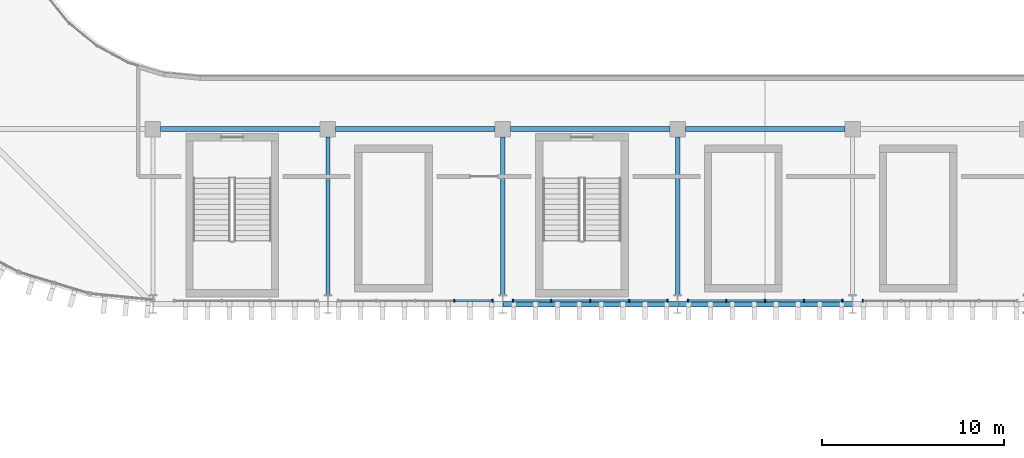
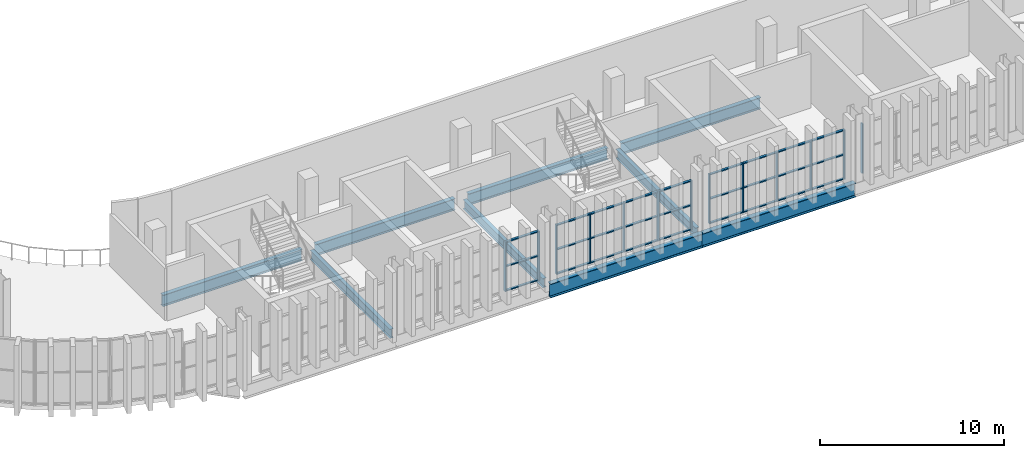
# One storey, part 12 of 92: 40 members, 9 beams, 4 elements without a shape of their own.
"""IFC4 building model written with IfcOpenShell, lengths in metres."""

from ifc_helpers import new_model, si_unit, direction, frame, origin, origin_2d, place, context, subcontext, project, spatial, rectangle, i_section, extrude, material, layer, layer_set, material_profile, profile_set, type_object, element, aggregate, save


model = new_model("IFC4")

# Units and contexts
model_context = context("Model", 3, precision=1e-05, world=origin(), true_north=direction((0.0, 1.0)))
body_context = subcontext(model_context, "Body", "Model", "MODEL_VIEW")
ifc_project = project(units=[si_unit("LENGTHUNIT", "METRE"), si_unit("AREAUNIT", "SQUARE_METRE"), si_unit("VOLUMEUNIT", "CUBIC_METRE"), si_unit("PLANEANGLEUNIT", "RADIAN"), si_unit("MASSUNIT", "GRAM", prefix="KILO")], contexts=[model_context])

# Site, building, storey
site_placement = place(None, origin())
site = spatial("IfcSite", under=ifc_project, at=site_placement, CompositionType="ELEMENT")
building_placement = place(site_placement, origin())
building = spatial("IfcBuilding", under=site, at=building_placement, Name="Caelomonte Colonnade Arena", CompositionType="ELEMENT")
storey_placement = place(building_placement, frame((0.0, 0.0, 9.60009765625)))
storey = spatial("IfcBuildingStorey", under=building, at=storey_placement, Name="L02", CompositionType="ELEMENT", Elevation=9.60009765625)

# Curtain wall, members
ifc_material_1 = material(Name="Bronze anodised aluminium and low-E glazing", Category="aluminium")
ifc_layer = layer(ifc_material_1, 0.179931640625)
ifc_layer_set = layer_set([ifc_layer], Name="Bronze anodised aluminium and low-E glazing")
curtain_wall_type = type_object("IfcCurtainWallType", Name="ENV-CW-CW-L02-96-33", PredefinedType="USERDEFINED", material=ifc_layer_set)
curtain_wall_1_placement = place(storey_placement, origin())
curtain_wall_1 = element("IfcCurtainWall", 1, at=curtain_wall_1_placement, inside=storey, type_object=curtain_wall_type, Name="L02 unitized curtain wall CW-L02-0912-0194", ObjectType="UNITIZED CURTAIN WALL", PredefinedType="USERDEFINED")
ifc_material_2 = material(Name="Bronze anodised aluminium AA6063-T6", Category="aluminium")
ifc_material_profile_1 = material_profile(ifc_material_2, rectangle(XDim=0.070068359375, YDim=0.179931640625, at=origin_2d()), Name="CWM-70X180")
ifc_profile_set_1 = profile_set([ifc_material_profile_1], Name="Bronze anodised aluminium AA6063-T6")
member_type_1 = type_object("IfcMemberType", Name="ENV-CW-MULL1", PredefinedType="MULLION", material=ifc_profile_set_1)
member_1_placement = place(storey_placement, frame((93.337158203125, 19.3798828125, 0.0), z_axis=(0.0, 0.0, 1.0), x_axis=(1.0, 0.0, 0.0)))
member_1 = element("IfcMember", 2, at=member_1_placement, type_object=member_type_1, Name="CW-L02-96-33 mullion 4", PredefinedType="MULLION", context=body_context, shape_type="SweptSolid", body=[
    extrude(rectangle(XDim=0.070068359375, YDim=0.179931640625, at=origin_2d()), origin(), (0.0, 0.0, 1.0), 3.29296875),
])
member_2_placement = place(storey_placement, frame((95.439453125, 19.3798828125, 0.0), z_axis=(0.0, 0.0, 1.0), x_axis=(1.0, 0.0, 0.0)))
member_2 = element("IfcMember", 3, at=member_2_placement, type_object=member_type_1, Name="CW-L02-96-33 mullion 5", PredefinedType="MULLION", context=body_context, shape_type="SweptSolid", body=[
    extrude(rectangle(XDim=0.070068359375, YDim=0.179931640625, at=origin_2d()), origin(), (0.0, 0.0, 1.0), 3.29296875),
])

curtain_wall_2_placement = place(storey_placement, origin())
curtain_wall_2 = element("IfcCurtainWall", 4, at=curtain_wall_2_placement, inside=storey, type_object=curtain_wall_type, Name="L02 unitized curtain wall CW-L02-1008-0194", ObjectType="UNITIZED CURTAIN WALL", PredefinedType="USERDEFINED")
member_3_placement = place(storey_placement, frame((96.560546875, 19.3798828125, 0.0), z_axis=(0.0, 0.0, 1.0), x_axis=(1.0, 0.0, 0.0)))
member_3 = element("IfcMember", 5, at=member_3_placement, type_object=member_type_1, Name="CW-L02-96-33 mullion 1", PredefinedType="MULLION", context=body_context, shape_type="SweptSolid", body=[
    extrude(rectangle(XDim=0.070068359375, YDim=0.179931640625, at=origin_2d()), origin(), (0.0, 0.0, 1.0), 3.29296875),
])
member_4_placement = place(storey_placement, frame((98.662841796875, 19.3798828125, 0.0), z_axis=(0.0, 0.0, 1.0), x_axis=(1.0, 0.0, 0.0)))
member_4 = element("IfcMember", 6, at=member_4_placement, type_object=member_type_1, Name="CW-L02-96-33 mullion 2", PredefinedType="MULLION", context=body_context, shape_type="SweptSolid", body=[
    extrude(rectangle(XDim=0.070068359375, YDim=0.179931640625, at=origin_2d()), origin(), (0.0, 0.0, 1.0), 3.29296875),
])
member_5_placement = place(storey_placement, frame((100.800048828125, 19.3798828125, 0.0), z_axis=(0.0, 0.0, 1.0), x_axis=(1.0, 0.0, 0.0)))
member_5 = element("IfcMember", 7, at=member_5_placement, type_object=member_type_1, Name="CW-L02-96-33 mullion 3", PredefinedType="MULLION", context=body_context, shape_type="SweptSolid", body=[
    extrude(rectangle(XDim=0.070068359375, YDim=0.179931640625, at=origin_2d()), origin(), (0.0, 0.0, 1.0), 3.29296875),
])
member_6_placement = place(storey_placement, frame((102.937255859375, 19.3798828125, 0.0), z_axis=(0.0, 0.0, 1.0), x_axis=(1.0, 0.0, 0.0)))
member_6 = element("IfcMember", 8, at=member_6_placement, type_object=member_type_1, Name="CW-L02-96-33 mullion 4", PredefinedType="MULLION", context=body_context, shape_type="SweptSolid", body=[
    extrude(rectangle(XDim=0.070068359375, YDim=0.179931640625, at=origin_2d()), origin(), (0.0, 0.0, 1.0), 3.29296875),
])
member_7_placement = place(storey_placement, frame((105.03955078125, 19.3798828125, 0.0), z_axis=(0.0, 0.0, 1.0), x_axis=(1.0, 0.0, 0.0)))
member_7 = element("IfcMember", 9, at=member_7_placement, type_object=member_type_1, Name="CW-L02-96-33 mullion 5", PredefinedType="MULLION", context=body_context, shape_type="SweptSolid", body=[
    extrude(rectangle(XDim=0.070068359375, YDim=0.179931640625, at=origin_2d()), origin(), (0.0, 0.0, 1.0), 3.29296875),
])

curtain_wall_3_placement = place(storey_placement, origin())
curtain_wall_3 = element("IfcCurtainWall", 10, at=curtain_wall_3_placement, inside=storey, type_object=curtain_wall_type, Name="L02 unitized curtain wall CW-L02-1104-0194", ObjectType="UNITIZED CURTAIN WALL", PredefinedType="USERDEFINED")
member_8_placement = place(storey_placement, frame((106.160400390625, 19.3798828125, 0.0), z_axis=(0.0, 0.0, 1.0), x_axis=(1.0, 0.0, 0.0)))
member_8 = element("IfcMember", 11, at=member_8_placement, type_object=member_type_1, Name="CW-L02-96-33 mullion 1", PredefinedType="MULLION", context=body_context, shape_type="SweptSolid", body=[
    extrude(rectangle(XDim=0.070068359375, YDim=0.179931640625, at=origin_2d()), origin(), (0.0, 0.0, 1.0), 3.29296875),
])
member_9_placement = place(storey_placement, frame((108.2626953125, 19.3798828125, 0.0), z_axis=(0.0, 0.0, 1.0), x_axis=(1.0, 0.0, 0.0)))
member_9 = element("IfcMember", 12, at=member_9_placement, type_object=member_type_1, Name="CW-L02-96-33 mullion 2", PredefinedType="MULLION", context=body_context, shape_type="SweptSolid", body=[
    extrude(rectangle(XDim=0.070068359375, YDim=0.179931640625, at=origin_2d()), origin(), (0.0, 0.0, 1.0), 3.29296875),
])
member_10_placement = place(storey_placement, frame((110.39990234375, 19.3798828125, 0.0), z_axis=(0.0, 0.0, 1.0), x_axis=(1.0, 0.0, 0.0)))
member_10 = element("IfcMember", 13, at=member_10_placement, type_object=member_type_1, Name="CW-L02-96-33 mullion 3", PredefinedType="MULLION", context=body_context, shape_type="SweptSolid", body=[
    extrude(rectangle(XDim=0.070068359375, YDim=0.179931640625, at=origin_2d()), origin(), (0.0, 0.0, 1.0), 3.29296875),
])
member_11_placement = place(storey_placement, frame((112.537353515625, 19.3798828125, 0.0), z_axis=(0.0, 0.0, 1.0), x_axis=(1.0, 0.0, 0.0)))
member_11 = element("IfcMember", 14, at=member_11_placement, type_object=member_type_1, Name="CW-L02-96-33 mullion 4", PredefinedType="MULLION", context=body_context, shape_type="SweptSolid", body=[
    extrude(rectangle(XDim=0.070068359375, YDim=0.179931640625, at=origin_2d()), origin(), (0.0, 0.0, 1.0), 3.29296875),
])
member_12_placement = place(storey_placement, frame((114.639404296875, 19.3798828125, 0.0), z_axis=(0.0, 0.0, 1.0), x_axis=(1.0, 0.0, 0.0)))
member_12 = element("IfcMember", 15, at=member_12_placement, type_object=member_type_1, Name="CW-L02-96-33 mullion 5", PredefinedType="MULLION", context=body_context, shape_type="SweptSolid", body=[
    extrude(rectangle(XDim=0.070068359375, YDim=0.179931640625, at=origin_2d()), origin(), (0.0, 0.0, 1.0), 3.29296875),
])

# Curtain wall, member
curtain_wall_4_placement = place(storey_placement, origin())
curtain_wall_4 = element("IfcCurtainWall", 16, at=curtain_wall_4_placement, inside=storey, type_object=curtain_wall_type, Name="L02 unitized curtain wall CW-L02-1200-0194", ObjectType="UNITIZED CURTAIN WALL", PredefinedType="USERDEFINED")
member_13_placement = place(storey_placement, frame((115.760498046875, 19.3798828125, 0.0), z_axis=(0.0, 0.0, 1.0), x_axis=(1.0, 0.0, 0.0)))
member_13 = element("IfcMember", 17, at=member_13_placement, type_object=member_type_1, Name="CW-L02-96-33 mullion 1", PredefinedType="MULLION", context=body_context, shape_type="SweptSolid", body=[
    extrude(rectangle(XDim=0.070068359375, YDim=0.179931640625, at=origin_2d()), origin(), (0.0, 0.0, 1.0), 3.29296875),
])
aggregate(curtain_wall_4, [member_13])

# Member
ifc_material_profile_2 = material_profile(ifc_material_2, rectangle(XDim=0.070068359375, YDim=0.139892578125, at=origin_2d()), Name="CWT-70X140")
ifc_profile_set_2 = profile_set([ifc_material_profile_2], Name="Bronze anodised aluminium AA6063-T6")
member_type_2 = type_object("IfcMemberType", Name="ENV-CW-TRAN1", PredefinedType="USERDEFINED", material=ifc_profile_set_2)
member_14_placement = place(storey_placement, frame((93.372314453125, 19.3798828125, 0.034912109375), z_axis=(1.0, 0.0, 0.0), x_axis=(0.0, 0.0, 1.0)))
member_14 = element("IfcMember", 18, at=member_14_placement, type_object=member_type_2, Name="CW-L02-96-33 transom 4.1", ObjectType="TRANSOM", PredefinedType="USERDEFINED", context=body_context, shape_type="SweptSolid", body=[
    extrude(rectangle(XDim=0.070068359375, YDim=0.139892578125, at=origin_2d()), origin(), (0.0, 0.0, 1.0), 2.0322265625),
])

member_15_placement = place(storey_placement, frame((93.372314453125, 19.3798828125, 1.646484375), z_axis=(1.0, 0.0, 0.0), x_axis=(0.0, 0.0, 1.0)))
member_15 = element("IfcMember", 19, at=member_15_placement, type_object=member_type_2, Name="CW-L02-96-33 transom 4.2", ObjectType="TRANSOM", PredefinedType="USERDEFINED", context=body_context, shape_type="SweptSolid", body=[
    extrude(rectangle(XDim=0.070068359375, YDim=0.139892578125, at=origin_2d()), origin(), (0.0, 0.0, 1.0), 2.0322265625),
])

member_16_placement = place(storey_placement, frame((93.372314453125, 19.3798828125, 3.2578125), z_axis=(1.0, 0.0, 0.0), x_axis=(0.0, 0.0, 1.0)))
member_16 = element("IfcMember", 20, at=member_16_placement, type_object=member_type_2, Name="CW-L02-96-33 transom 4.3", ObjectType="TRANSOM", PredefinedType="USERDEFINED", context=body_context, shape_type="SweptSolid", body=[
    extrude(rectangle(XDim=0.070068359375, YDim=0.139892578125, at=origin_2d()), origin(), (0.0, 0.0, 1.0), 2.0322265625),
])

aggregate(curtain_wall_1, [member_1, member_2, member_14, member_15, member_16])

member_17_placement = place(storey_placement, frame((96.595458984375, 19.3798828125, 0.034912109375), z_axis=(1.0, 0.0, 0.0), x_axis=(0.0, 0.0, 1.0)))
member_17 = element("IfcMember", 21, at=member_17_placement, type_object=member_type_2, Name="CW-L02-96-33 transom 1.1", ObjectType="TRANSOM", PredefinedType="USERDEFINED", context=body_context, shape_type="SweptSolid", body=[
    extrude(rectangle(XDim=0.070068359375, YDim=0.139892578125, at=origin_2d()), origin(), (0.0, 0.0, 1.0), 2.0322265625),
])

member_18_placement = place(storey_placement, frame((96.595458984375, 19.3798828125, 1.646484375), z_axis=(1.0, 0.0, 0.0), x_axis=(0.0, 0.0, 1.0)))
member_18 = element("IfcMember", 22, at=member_18_placement, type_object=member_type_2, Name="CW-L02-96-33 transom 1.2", ObjectType="TRANSOM", PredefinedType="USERDEFINED", context=body_context, shape_type="SweptSolid", body=[
    extrude(rectangle(XDim=0.070068359375, YDim=0.139892578125, at=origin_2d()), origin(), (0.0, 0.0, 1.0), 2.0322265625),
])

member_19_placement = place(storey_placement, frame((96.595458984375, 19.3798828125, 3.2578125), z_axis=(1.0, 0.0, 0.0), x_axis=(0.0, 0.0, 1.0)))
member_19 = element("IfcMember", 23, at=member_19_placement, type_object=member_type_2, Name="CW-L02-96-33 transom 1.3", ObjectType="TRANSOM", PredefinedType="USERDEFINED", context=body_context, shape_type="SweptSolid", body=[
    extrude(rectangle(XDim=0.070068359375, YDim=0.139892578125, at=origin_2d()), origin(), (0.0, 0.0, 1.0), 2.0322265625),
])

member_20_placement = place(storey_placement, frame((98.69775390625, 19.3798828125, 0.034912109375), z_axis=(1.0, 0.0, 0.0), x_axis=(0.0, 0.0, 1.0)))
member_20 = element("IfcMember", 24, at=member_20_placement, type_object=member_type_2, Name="CW-L02-96-33 transom 2.1", ObjectType="TRANSOM", PredefinedType="USERDEFINED", context=body_context, shape_type="SweptSolid", body=[
    extrude(rectangle(XDim=0.070068359375, YDim=0.139892578125, at=origin_2d()), origin(), (0.0, 0.0, 1.0), 2.067138671875),
])

member_21_placement = place(storey_placement, frame((98.69775390625, 19.3798828125, 1.646484375), z_axis=(1.0, 0.0, 0.0), x_axis=(0.0, 0.0, 1.0)))
member_21 = element("IfcMember", 25, at=member_21_placement, type_object=member_type_2, Name="CW-L02-96-33 transom 2.2", ObjectType="TRANSOM", PredefinedType="USERDEFINED", context=body_context, shape_type="SweptSolid", body=[
    extrude(rectangle(XDim=0.070068359375, YDim=0.139892578125, at=origin_2d()), origin(), (0.0, 0.0, 1.0), 2.067138671875),
])

member_22_placement = place(storey_placement, frame((98.69775390625, 19.3798828125, 3.2578125), z_axis=(1.0, 0.0, 0.0), x_axis=(0.0, 0.0, 1.0)))
member_22 = element("IfcMember", 26, at=member_22_placement, type_object=member_type_2, Name="CW-L02-96-33 transom 2.3", ObjectType="TRANSOM", PredefinedType="USERDEFINED", context=body_context, shape_type="SweptSolid", body=[
    extrude(rectangle(XDim=0.070068359375, YDim=0.139892578125, at=origin_2d()), origin(), (0.0, 0.0, 1.0), 2.067138671875),
])

member_23_placement = place(storey_placement, frame((100.8349609375, 19.3798828125, 0.034912109375), z_axis=(1.0, 0.0, 0.0), x_axis=(0.0, 0.0, 1.0)))
member_23 = element("IfcMember", 27, at=member_23_placement, type_object=member_type_2, Name="CW-L02-96-33 transom 3.1", ObjectType="TRANSOM", PredefinedType="USERDEFINED", context=body_context, shape_type="SweptSolid", body=[
    extrude(rectangle(XDim=0.070068359375, YDim=0.139892578125, at=origin_2d()), origin(), (0.0, 0.0, 1.0), 2.0673828125),
])

member_24_placement = place(storey_placement, frame((100.8349609375, 19.3798828125, 1.646484375), z_axis=(1.0, 0.0, 0.0), x_axis=(0.0, 0.0, 1.0)))
member_24 = element("IfcMember", 28, at=member_24_placement, type_object=member_type_2, Name="CW-L02-96-33 transom 3.2", ObjectType="TRANSOM", PredefinedType="USERDEFINED", context=body_context, shape_type="SweptSolid", body=[
    extrude(rectangle(XDim=0.070068359375, YDim=0.139892578125, at=origin_2d()), origin(), (0.0, 0.0, 1.0), 2.0673828125),
])

member_25_placement = place(storey_placement, frame((100.8349609375, 19.3798828125, 3.2578125), z_axis=(1.0, 0.0, 0.0), x_axis=(0.0, 0.0, 1.0)))
member_25 = element("IfcMember", 29, at=member_25_placement, type_object=member_type_2, Name="CW-L02-96-33 transom 3.3", ObjectType="TRANSOM", PredefinedType="USERDEFINED", context=body_context, shape_type="SweptSolid", body=[
    extrude(rectangle(XDim=0.070068359375, YDim=0.139892578125, at=origin_2d()), origin(), (0.0, 0.0, 1.0), 2.0673828125),
])

member_26_placement = place(storey_placement, frame((102.97216796875, 19.3798828125, 0.034912109375), z_axis=(1.0, 0.0, 0.0), x_axis=(0.0, 0.0, 1.0)))
member_26 = element("IfcMember", 30, at=member_26_placement, type_object=member_type_2, Name="CW-L02-96-33 transom 4.1", ObjectType="TRANSOM", PredefinedType="USERDEFINED", context=body_context, shape_type="SweptSolid", body=[
    extrude(rectangle(XDim=0.070068359375, YDim=0.139892578125, at=origin_2d()), origin(), (0.0, 0.0, 1.0), 2.0322265625),
])

member_27_placement = place(storey_placement, frame((102.97216796875, 19.3798828125, 1.646484375), z_axis=(1.0, 0.0, 0.0), x_axis=(0.0, 0.0, 1.0)))
member_27 = element("IfcMember", 31, at=member_27_placement, type_object=member_type_2, Name="CW-L02-96-33 transom 4.2", ObjectType="TRANSOM", PredefinedType="USERDEFINED", context=body_context, shape_type="SweptSolid", body=[
    extrude(rectangle(XDim=0.070068359375, YDim=0.139892578125, at=origin_2d()), origin(), (0.0, 0.0, 1.0), 2.0322265625),
])

member_28_placement = place(storey_placement, frame((102.97216796875, 19.3798828125, 3.2578125), z_axis=(1.0, 0.0, 0.0), x_axis=(0.0, 0.0, 1.0)))
member_28 = element("IfcMember", 32, at=member_28_placement, type_object=member_type_2, Name="CW-L02-96-33 transom 4.3", ObjectType="TRANSOM", PredefinedType="USERDEFINED", context=body_context, shape_type="SweptSolid", body=[
    extrude(rectangle(XDim=0.070068359375, YDim=0.139892578125, at=origin_2d()), origin(), (0.0, 0.0, 1.0), 2.0322265625),
])

aggregate(curtain_wall_2, [member_3, member_4, member_5, member_6, member_7, member_17, member_18, member_19, member_20, member_21, member_22, member_23, member_24, member_25, member_26, member_27, member_28])

member_29_placement = place(storey_placement, frame((106.195556640625, 19.3798828125, 0.034912109375), z_axis=(1.0, 0.0, 0.0), x_axis=(0.0, 0.0, 1.0)))
member_29 = element("IfcMember", 33, at=member_29_placement, type_object=member_type_2, Name="CW-L02-96-33 transom 1.1", ObjectType="TRANSOM", PredefinedType="USERDEFINED", context=body_context, shape_type="SweptSolid", body=[
    extrude(rectangle(XDim=0.070068359375, YDim=0.139892578125, at=origin_2d()), origin(), (0.0, 0.0, 1.0), 2.0322265625),
])

member_30_placement = place(storey_placement, frame((106.195556640625, 19.3798828125, 1.646484375), z_axis=(1.0, 0.0, 0.0), x_axis=(0.0, 0.0, 1.0)))
member_30 = element("IfcMember", 34, at=member_30_placement, type_object=member_type_2, Name="CW-L02-96-33 transom 1.2", ObjectType="TRANSOM", PredefinedType="USERDEFINED", context=body_context, shape_type="SweptSolid", body=[
    extrude(rectangle(XDim=0.070068359375, YDim=0.139892578125, at=origin_2d()), origin(), (0.0, 0.0, 1.0), 2.0322265625),
])

member_31_placement = place(storey_placement, frame((106.195556640625, 19.3798828125, 3.2578125), z_axis=(1.0, 0.0, 0.0), x_axis=(0.0, 0.0, 1.0)))
member_31 = element("IfcMember", 35, at=member_31_placement, type_object=member_type_2, Name="CW-L02-96-33 transom 1.3", ObjectType="TRANSOM", PredefinedType="USERDEFINED", context=body_context, shape_type="SweptSolid", body=[
    extrude(rectangle(XDim=0.070068359375, YDim=0.139892578125, at=origin_2d()), origin(), (0.0, 0.0, 1.0), 2.0322265625),
])

member_32_placement = place(storey_placement, frame((108.2978515625, 19.3798828125, 0.034912109375), z_axis=(1.0, 0.0, 0.0), x_axis=(0.0, 0.0, 1.0)))
member_32 = element("IfcMember", 36, at=member_32_placement, type_object=member_type_2, Name="CW-L02-96-33 transom 2.1", ObjectType="TRANSOM", PredefinedType="USERDEFINED", context=body_context, shape_type="SweptSolid", body=[
    extrude(rectangle(XDim=0.070068359375, YDim=0.139892578125, at=origin_2d()), origin(), (0.0, 0.0, 1.0), 2.067138671875),
])

member_33_placement = place(storey_placement, frame((108.2978515625, 19.3798828125, 1.646484375), z_axis=(1.0, 0.0, 0.0), x_axis=(0.0, 0.0, 1.0)))
member_33 = element("IfcMember", 37, at=member_33_placement, type_object=member_type_2, Name="CW-L02-96-33 transom 2.2", ObjectType="TRANSOM", PredefinedType="USERDEFINED", context=body_context, shape_type="SweptSolid", body=[
    extrude(rectangle(XDim=0.070068359375, YDim=0.139892578125, at=origin_2d()), origin(), (0.0, 0.0, 1.0), 2.067138671875),
])

member_34_placement = place(storey_placement, frame((108.2978515625, 19.3798828125, 3.2578125), z_axis=(1.0, 0.0, 0.0), x_axis=(0.0, 0.0, 1.0)))
member_34 = element("IfcMember", 38, at=member_34_placement, type_object=member_type_2, Name="CW-L02-96-33 transom 2.3", ObjectType="TRANSOM", PredefinedType="USERDEFINED", context=body_context, shape_type="SweptSolid", body=[
    extrude(rectangle(XDim=0.070068359375, YDim=0.139892578125, at=origin_2d()), origin(), (0.0, 0.0, 1.0), 2.067138671875),
])

member_35_placement = place(storey_placement, frame((110.43505859375, 19.3798828125, 0.034912109375), z_axis=(1.0, 0.0, 0.0), x_axis=(0.0, 0.0, 1.0)))
member_35 = element("IfcMember", 39, at=member_35_placement, type_object=member_type_2, Name="CW-L02-96-33 transom 3.1", ObjectType="TRANSOM", PredefinedType="USERDEFINED", context=body_context, shape_type="SweptSolid", body=[
    extrude(rectangle(XDim=0.070068359375, YDim=0.139892578125, at=origin_2d()), origin(), (0.0, 0.0, 1.0), 2.067138671875),
])

member_36_placement = place(storey_placement, frame((110.43505859375, 19.3798828125, 1.646484375), z_axis=(1.0, 0.0, 0.0), x_axis=(0.0, 0.0, 1.0)))
member_36 = element("IfcMember", 40, at=member_36_placement, type_object=member_type_2, Name="CW-L02-96-33 transom 3.2", ObjectType="TRANSOM", PredefinedType="USERDEFINED", context=body_context, shape_type="SweptSolid", body=[
    extrude(rectangle(XDim=0.070068359375, YDim=0.139892578125, at=origin_2d()), origin(), (0.0, 0.0, 1.0), 2.067138671875),
])

member_37_placement = place(storey_placement, frame((110.43505859375, 19.3798828125, 3.2578125), z_axis=(1.0, 0.0, 0.0), x_axis=(0.0, 0.0, 1.0)))
member_37 = element("IfcMember", 41, at=member_37_placement, type_object=member_type_2, Name="CW-L02-96-33 transom 3.3", ObjectType="TRANSOM", PredefinedType="USERDEFINED", context=body_context, shape_type="SweptSolid", body=[
    extrude(rectangle(XDim=0.070068359375, YDim=0.139892578125, at=origin_2d()), origin(), (0.0, 0.0, 1.0), 2.067138671875),
])

member_38_placement = place(storey_placement, frame((112.572265625, 19.3798828125, 0.034912109375), z_axis=(1.0, 0.0, 0.0), x_axis=(0.0, 0.0, 1.0)))
member_38 = element("IfcMember", 42, at=member_38_placement, type_object=member_type_2, Name="CW-L02-96-33 transom 4.1", ObjectType="TRANSOM", PredefinedType="USERDEFINED", context=body_context, shape_type="SweptSolid", body=[
    extrude(rectangle(XDim=0.070068359375, YDim=0.139892578125, at=origin_2d()), origin(), (0.0, 0.0, 1.0), 2.0322265625),
])

member_39_placement = place(storey_placement, frame((112.572265625, 19.3798828125, 1.646484375), z_axis=(1.0, 0.0, 0.0), x_axis=(0.0, 0.0, 1.0)))
member_39 = element("IfcMember", 43, at=member_39_placement, type_object=member_type_2, Name="CW-L02-96-33 transom 4.2", ObjectType="TRANSOM", PredefinedType="USERDEFINED", context=body_context, shape_type="SweptSolid", body=[
    extrude(rectangle(XDim=0.070068359375, YDim=0.139892578125, at=origin_2d()), origin(), (0.0, 0.0, 1.0), 2.0322265625),
])

member_40_placement = place(storey_placement, frame((112.572265625, 19.3798828125, 3.2578125), z_axis=(1.0, 0.0, 0.0), x_axis=(0.0, 0.0, 1.0)))
member_40 = element("IfcMember", 44, at=member_40_placement, type_object=member_type_2, Name="CW-L02-96-33 transom 4.3", ObjectType="TRANSOM", PredefinedType="USERDEFINED", context=body_context, shape_type="SweptSolid", body=[
    extrude(rectangle(XDim=0.070068359375, YDim=0.139892578125, at=origin_2d()), origin(), (0.0, 0.0, 1.0), 2.0322265625),
])

aggregate(curtain_wall_3, [member_8, member_9, member_10, member_11, member_12, member_29, member_30, member_31, member_32, member_33, member_34, member_35, member_36, member_37, member_38, member_39, member_40])

# Beams
ifc_material_3 = material(Name="Wide-flange steel ASTM A992 Grade 50", Category="steel")
ifc_material_profile_3 = material_profile(ifc_material_3, i_section(OverallWidth=0.307861328125, OverallDepth=0.927001953125, WebThickness=0.019287109375, FlangeThickness=0.031982421875, FilletRadius=0.020263671875, at=origin_2d()), Name="W36X194")
ifc_profile_set_3 = profile_set([ifc_material_profile_3], Name="Wide-flange steel ASTM A992 Grade 50")
beam_type_1 = type_object("IfcBeamType", Name="STR-BM-EAVES2", PredefinedType="SPANDREL", material=ifc_profile_set_3)
for number, where, z_axis, x_axis, name in (
    (45, (96.01171875, 19.199951171875, -0.74365234375), (1.0, 0.0, 0.0), (0.0, 1.0, 0.0), "L02 girder BMX-L02-0960-0192"),
    (46, (105.61181640625, 19.199951171875, -0.74365234375), (1.0, 0.0, 0.0), (0.0, 1.0, 0.0), "L02 girder BMX-L02-1056-0192"),
):
    element("IfcBeam", number, at=place(storey_placement, frame(where, z_axis=z_axis, x_axis=x_axis)), inside=storey, type_object=beam_type_1, Name=name, PredefinedType="SPANDREL", context=body_context, shape_type="SweptSolid", body=[
        extrude(i_section(OverallWidth=0.307861328125, OverallDepth=0.927001953125, WebThickness=0.019287109375, FlangeThickness=0.031982421875, FilletRadius=0.020263671875, at=origin_2d()), origin(), (0.0, 0.0, 1.0), 9.576416015625),
    ])
ifc_material_profile_4 = material_profile(ifc_material_3, i_section(OverallWidth=0.228271484375, OverallDepth=0.607177734375, WebThickness=0.01123046875, FlangeThickness=0.017333984375, FilletRadius=0.0126953125, at=origin_2d()), Name="W24X76")
ifc_profile_set_4 = profile_set([ifc_material_profile_4], Name="Wide-flange steel ASTM A992 Grade 50")
beam_type_2 = type_object("IfcBeamType", Name="STR-BM-GIRD24", PredefinedType="BEAM", material=ifc_profile_set_4)
for number, where, z_axis, x_axis, name in (
    (47, (86.39990234375, 19.697509765625, -0.58349609375), (0.0, 1.0, 0.0), (-1.0, 0.0, 0.0), "L02 girder BMY-L02-0864-0192"),
    (48, (96.0, 19.697509765625, -0.58349609375), (0.0, 1.0, 0.0), (-1.0, 0.0, 0.0), "L02 girder BMY-L02-0960-0192"),
    (49, (105.60009765625, 19.697509765625, -0.58349609375), (0.0, 1.0, 0.0), (-1.0, 0.0, 0.0), "L02 girder BMY-L02-1056-0192"),
):
    element("IfcBeam", number, at=place(storey_placement, frame(where, z_axis=z_axis, x_axis=x_axis)), inside=storey, type_object=beam_type_2, Name=name, PredefinedType="BEAM", context=body_context, shape_type="SweptSolid", body=[
        extrude(i_section(OverallWidth=0.228271484375, OverallDepth=0.607177734375, WebThickness=0.01123046875, FlangeThickness=0.017333984375, FilletRadius=0.0126953125, at=origin_2d()), origin(), (0.0, 0.0, 1.0), 8.685546875),
    ])
ifc_material_profile_5 = material_profile(ifc_material_3, i_section(OverallWidth=0.2666015625, OverallDepth=0.761962890625, WebThickness=0.014404296875, FlangeThickness=0.021484375, FilletRadius=0.0166015625, at=origin_2d()), Name="W30X116")
ifc_profile_set_5 = profile_set([ifc_material_profile_5], Name="Wide-flange steel ASTM A992 Grade 50")
beam_type_3 = type_object("IfcBeamType", Name="STR-BM-GIRD30", PredefinedType="BEAM", material=ifc_profile_set_5)
beam_1_placement = place(storey_placement, frame((77.217041015625, 28.800048828125, -0.6611328125), z_axis=(1.0, 0.0, 0.0), x_axis=(0.0, 1.0, 0.0)))
element("IfcBeam", 50, at=beam_1_placement, inside=storey, type_object=beam_type_3, Name="L02 girder BMX-L02-0768-0288", PredefinedType="BEAM", context=body_context, shape_type="SweptSolid", body=[
    extrude(i_section(OverallWidth=0.2666015625, OverallDepth=0.761962890625, WebThickness=0.014404296875, FlangeThickness=0.021484375, FilletRadius=0.0166015625, at=origin_2d()), origin(), (0.0, 0.0, 1.0), 8.765869140625),
])
for number, where, z_axis, x_axis, name in (
    (51, (86.81689453125, 28.800048828125, -0.6611328125), (1.0, 0.0, 0.0), (0.0, 1.0, 0.0), "L02 girder BMX-L02-0864-0288"),
    (52, (96.4169921875, 28.800048828125, -0.6611328125), (1.0, 0.0, 0.0), (0.0, 1.0, 0.0), "L02 girder BMX-L02-0960-0288"),
):
    element("IfcBeam", number, at=place(storey_placement, frame(where, z_axis=z_axis, x_axis=x_axis)), inside=storey, type_object=beam_type_3, Name=name, PredefinedType="BEAM", context=body_context, shape_type="SweptSolid", body=[
        extrude(i_section(OverallWidth=0.2666015625, OverallDepth=0.761962890625, WebThickness=0.014404296875, FlangeThickness=0.021484375, FilletRadius=0.0166015625, at=origin_2d()), origin(), (0.0, 0.0, 1.0), 8.76611328125),
    ])
beam_2_placement = place(storey_placement, frame((106.01708984375, 28.800048828125, -0.6611328125), z_axis=(1.0, 0.0, 0.0), x_axis=(0.0, 1.0, 0.0)))
element("IfcBeam", 53, at=beam_2_placement, inside=storey, type_object=beam_type_3, Name="L02 girder BMX-L02-1056-0288", PredefinedType="BEAM", context=body_context, shape_type="SweptSolid", body=[
    extrude(i_section(OverallWidth=0.2666015625, OverallDepth=0.761962890625, WebThickness=0.014404296875, FlangeThickness=0.021484375, FilletRadius=0.0166015625, at=origin_2d()), origin(), (0.0, 0.0, 1.0), 8.765869140625),
])

save(model, "model.ifc")
